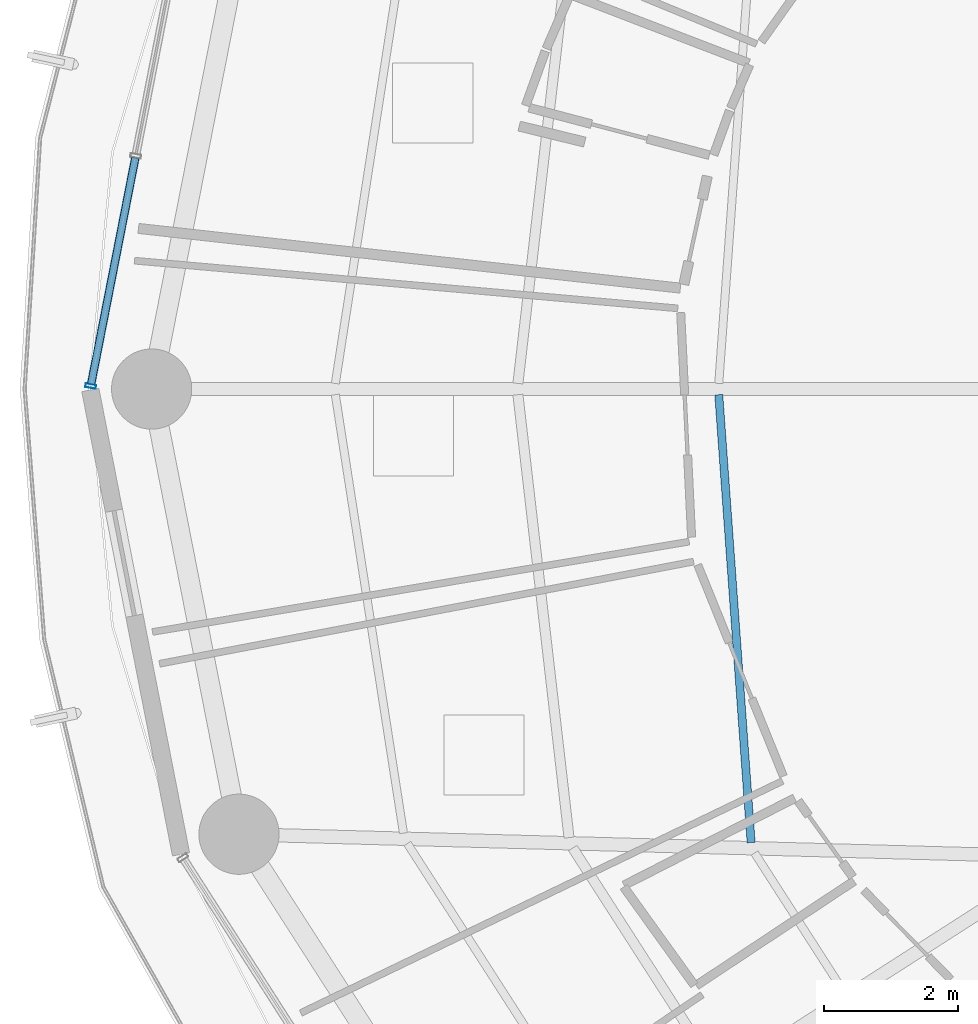
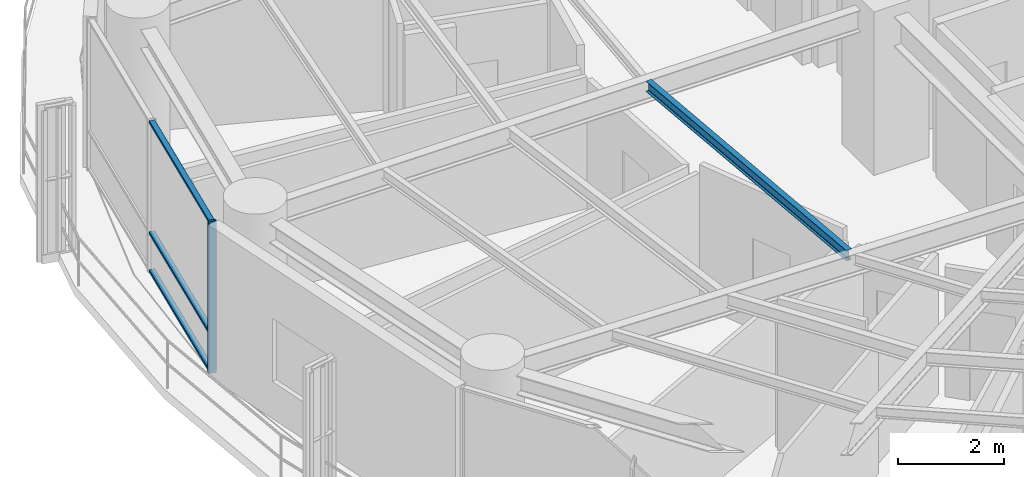
# One storey, part 6 of 28: 4 members, 1 beam, 1 element without a shape of its own.
"""IFC4 building model written with IfcOpenShell, lengths in metres."""

from ifc_helpers import new_model, si_unit, direction, frame, origin, origin_2d, place, context, subcontext, project, spatial, hollow_rectangle, i_section, extrude, material, layer, layer_set, material_profile, profile_set, type_object, element, aggregate, save


model = new_model("IFC4")

# Units and contexts
model_context = context("Model", 3, precision=1e-05, world=origin(), true_north=direction((0.0, 1.0)))
body_context = subcontext(model_context, "Body", "Model", "MODEL_VIEW")
ifc_project = project(units=[si_unit("LENGTHUNIT", "METRE"), si_unit("AREAUNIT", "SQUARE_METRE"), si_unit("VOLUMEUNIT", "CUBIC_METRE"), si_unit("PLANEANGLEUNIT", "RADIAN"), si_unit("MASSUNIT", "GRAM", prefix="KILO")], contexts=[model_context])

# Site, building, storey
site_placement = place(None, origin())
site = spatial("IfcSite", under=ifc_project, at=site_placement, CompositionType="ELEMENT")
building_placement = place(site_placement, origin())
building = spatial("IfcBuilding", under=site, at=building_placement, Name="Kelanora Arch Commons", CompositionType="ELEMENT")
storey_placement = place(building_placement, frame((0.0, 0.0, 158.10009765625)))
storey = spatial("IfcBuildingStorey", under=building, at=storey_placement, Name="L40", CompositionType="ELEMENT", Elevation=158.10009765625)

# Beam
ifc_material_1 = material(Name="Steel S355", Category="steel")
ifc_material_profile_1 = material_profile(ifc_material_1, i_section(OverallWidth=0.1201171875, OverallDepth=0.239990234375, WebThickness=0.006103515625, FlangeThickness=0.009765625, FilletRadius=0.014892578125, at=origin_2d()), Name="IPE240")
ifc_profile_set_1 = profile_set([ifc_material_profile_1], Name="Steel S355")
beam_type = type_object("IfcBeamType", Name="BM-JST-02", PredefinedType="JOIST", material=ifc_profile_set_1)
beam_placement = place(storey_placement, frame((60.8076171875, 57.915283203125, 3.369873046875), z_axis=(0.072117123738, -0.997396170267, 0.0), x_axis=(0.997396170267, 0.072117123738, 0.0)))
element("IfcBeam", 1, at=beam_placement, inside=storey, type_object=beam_type, Name="Secondary Chord Joist BJA-18 L40", PredefinedType="JOIST", context=body_context, shape_type="SweptSolid", body=[
    extrude(i_section(OverallWidth=0.1201171875, OverallDepth=0.239990234375, WebThickness=0.006103515625, FlangeThickness=0.009765625, FilletRadius=0.014892578125, at=origin_2d()), origin(), (0.0, 0.0, 1.0), 6.719970703125),
])

# Curtain wall, members
ifc_material_2 = material(Name="Terracotta ceramic-fritted low-E glass and aluminium", Category="masonry")
ifc_layer = layer(ifc_material_2, 0.175048828125)
ifc_layer_set = layer_set([ifc_layer], Name="Terracotta ceramic-fritted low-E glass and aluminium")
curtain_wall_type = type_object("IfcCurtainWallType", Name="CW-SYS-02", PredefinedType="NOTDEFINED", material=ifc_layer_set)
curtain_wall_placement = place(storey_placement, origin())
curtain_wall = element("IfcCurtainWall", 2, at=curtain_wall_placement, inside=storey, type_object=curtain_wall_type, Name="Unitised Curtain Wall L40-B08", PredefinedType="NOTDEFINED")
ifc_material_3 = material(Name="Powder-coated aluminium terracotta", Category="masonry")
ifc_material_profile_2 = material_profile(ifc_material_3, hollow_rectangle(XDim=0.159912109375, YDim=0.06005859375, WallThickness=0.0048828125, InnerFilletRadius=0.0048828125, OuterFilletRadius=0.010009765625, at=origin_2d()), Name="CWM160x60")
ifc_profile_set_2 = profile_set([ifc_material_profile_2], Name="Powder-coated aluminium terracotta")
member_type_1 = type_object("IfcMemberType", Name="CWM-STD", PredefinedType="MULLION", material=ifc_profile_set_2)
member_1_placement = place(storey_placement, frame((51.40869140625, 58.044189453125, 0.0), z_axis=(0.0, 0.0, 1.0), x_axis=(0.981452557718, -0.191705182375, 0.0)))
member_1 = element("IfcMember", 3, at=member_1_placement, type_object=member_type_1, Name="CW-02 mullion 3", PredefinedType="MULLION", context=body_context, shape_type="SweptSolid", body=[
    extrude(hollow_rectangle(XDim=0.159912109375, YDim=0.06005859375, WallThickness=0.0048828125, InnerFilletRadius=0.0048828125, OuterFilletRadius=0.010009765625, at=origin_2d()), origin(), (0.0, 0.0, 1.0), 3.474853515625),
])
ifc_material_profile_3 = material_profile(ifc_material_3, hollow_rectangle(XDim=0.1201171875, YDim=0.06005859375, WallThickness=0.0048828125, InnerFilletRadius=0.0048828125, OuterFilletRadius=0.010009765625, at=origin_2d()), Name="CWT120x60")
ifc_profile_set_3 = profile_set([ifc_material_profile_3], Name="Powder-coated aluminium terracotta")
member_type_2 = type_object("IfcMemberType", Name="CWT-STD", PredefinedType="USERDEFINED", material=ifc_profile_set_3)
member_2_placement = place(storey_placement, frame((52.07568359375, 61.459228515625, 0.02978515625), z_axis=(-0.191718206447, -0.981450013662, 0.0), x_axis=(0.981450013662, -0.191718206447, 0.0)))
member_2 = element("IfcMember", 4, at=member_2_placement, type_object=member_type_2, Name="CW-02 transom 2.1", ObjectType="TRANSOM", PredefinedType="USERDEFINED", context=body_context, shape_type="SweptSolid", body=[
    extrude(hollow_rectangle(XDim=0.1201171875, YDim=0.06005859375, WallThickness=0.0048828125, InnerFilletRadius=0.0048828125, OuterFilletRadius=0.010009765625, at=origin_2d()), origin(), (0.0, 0.0, 1.0), 3.44970703125),
])
member_3_placement = place(storey_placement, frame((52.07568359375, 61.459228515625, 0.89990234375), z_axis=(-0.191718206447, -0.981450013662, 0.0), x_axis=(0.981450013662, -0.191718206447, 0.0)))
member_3 = element("IfcMember", 5, at=member_3_placement, type_object=member_type_2, Name="CW-02 transom 2.2", ObjectType="TRANSOM", PredefinedType="USERDEFINED", context=body_context, shape_type="SweptSolid", body=[
    extrude(hollow_rectangle(XDim=0.1201171875, YDim=0.06005859375, WallThickness=0.0048828125, InnerFilletRadius=0.0048828125, OuterFilletRadius=0.010009765625, at=origin_2d()), origin(), (0.0, 0.0, 1.0), 3.44970703125),
])
member_4_placement = place(storey_placement, frame((52.07568359375, 61.459228515625, 3.44482421875), z_axis=(-0.191718206447, -0.981450013662, 0.0), x_axis=(0.981450013662, -0.191718206447, 0.0)))
member_4 = element("IfcMember", 6, at=member_4_placement, type_object=member_type_2, Name="CW-02 transom 2.3", ObjectType="TRANSOM", PredefinedType="USERDEFINED", context=body_context, shape_type="SweptSolid", body=[
    extrude(hollow_rectangle(XDim=0.1201171875, YDim=0.06005859375, WallThickness=0.0048828125, InnerFilletRadius=0.0048828125, OuterFilletRadius=0.010009765625, at=origin_2d()), origin(), (0.0, 0.0, 1.0), 3.44970703125),
])
aggregate(curtain_wall, [member_1, member_2, member_3, member_4])

save(model, "model.ifc")
